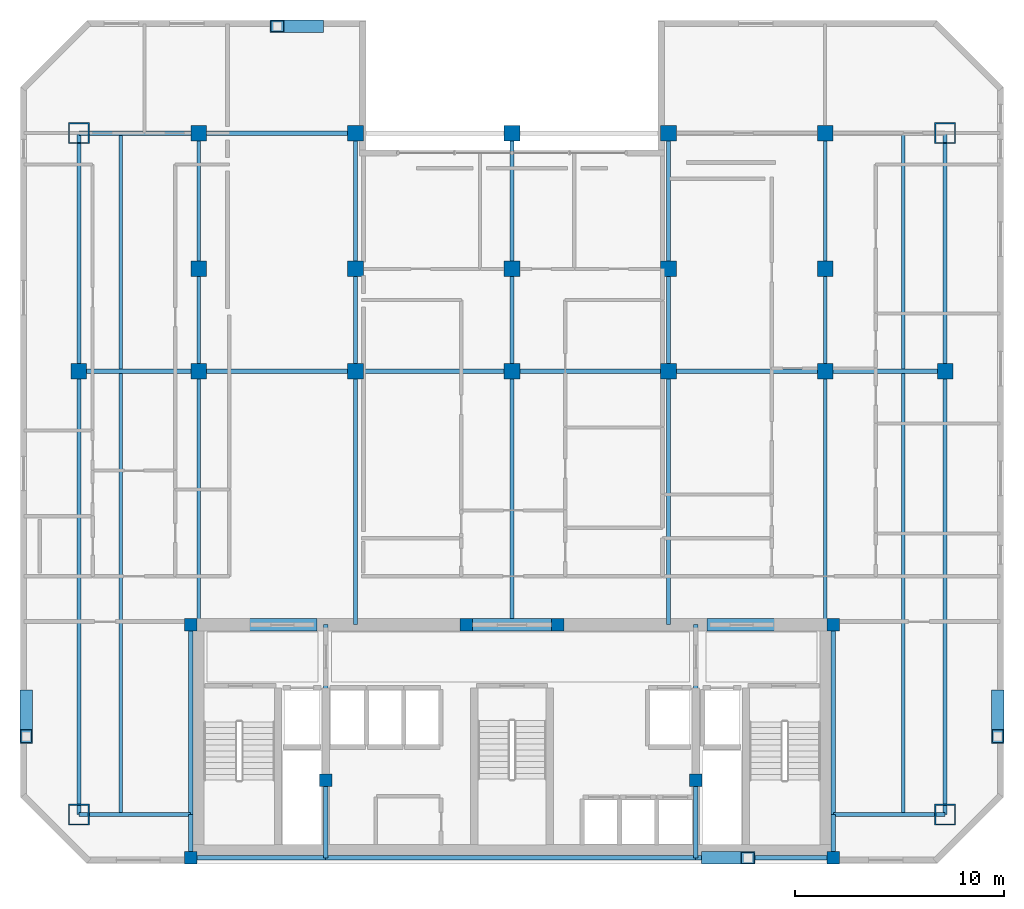
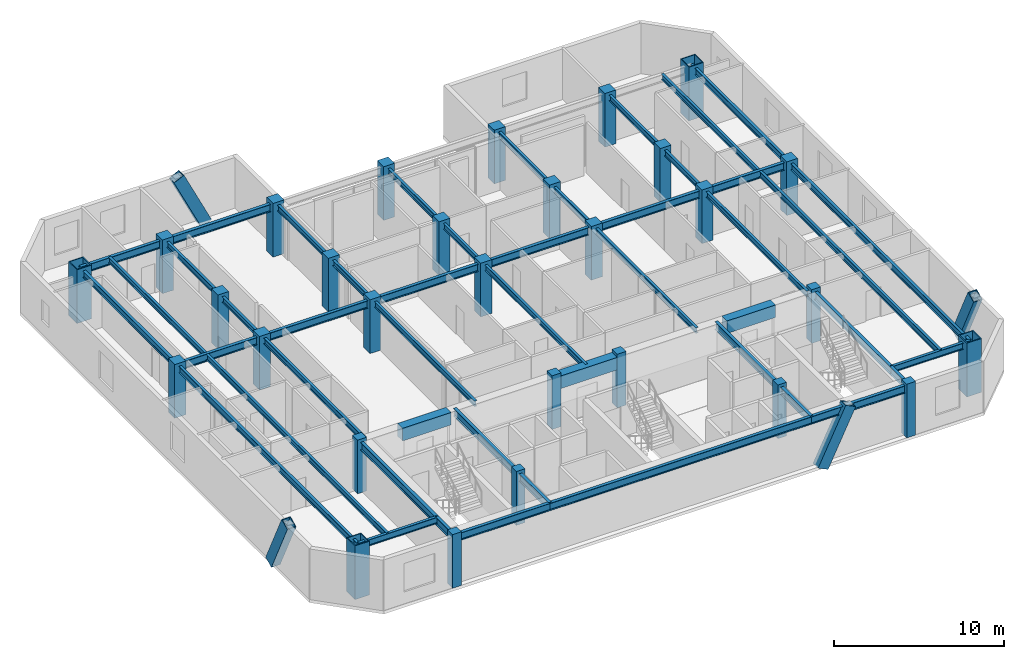
# One storey, part 1 of 10: 42 beams, 29 columns, 4 members.
"""IFC4 building model written with IfcOpenShell, lengths in metres."""

from ifc_helpers import new_model, si_unit, direction, frame, origin, origin_2d, place, context, subcontext, project, spatial, rectangle, hollow_rectangle, i_section, extrude, material, material_profile, profile_set, type_object, element, save


model = new_model("IFC4")

# Units and contexts
model_context = context("Model", 3, precision=1e-05, world=origin(), true_north=direction((0.0, 1.0)))
body_context = subcontext(model_context, "Body", "Model", "MODEL_VIEW")
ifc_project = project(units=[si_unit("LENGTHUNIT", "METRE"), si_unit("AREAUNIT", "SQUARE_METRE"), si_unit("VOLUMEUNIT", "CUBIC_METRE"), si_unit("PLANEANGLEUNIT", "RADIAN"), si_unit("MASSUNIT", "GRAM", prefix="KILO")], contexts=[model_context])

# Site, building, storey
site_placement = place(None, origin())
site = spatial("IfcSite", under=ifc_project, at=site_placement, CompositionType="ELEMENT")
building_placement = place(site_placement, origin())
building = spatial("IfcBuilding", under=site, at=building_placement, Name="Ventersveld Concourse Tower", CompositionType="ELEMENT")
storey_placement = place(building_placement, frame((0.0, 0.0, 208.0)))
storey = spatial("IfcBuildingStorey", under=building, at=storey_placement, Name="L51", CompositionType="ELEMENT", Elevation=208.0)

# Columns
ifc_material_1 = material(Name="Concrete C50/60", Category="concrete")
ifc_material_profile_1 = material_profile(ifc_material_1, rectangle(XDim=0.60009765625, YDim=0.60009765625, at=origin_2d()), Name="RC 600x600")
ifc_profile_set_1 = profile_set([ifc_material_profile_1], Name="Concrete C50/60")
column_type_1 = type_object("IfcColumnType", Name="COL-RC600", PredefinedType="COLUMN", material=ifc_profile_set_1)
for number, where, z_axis, x_axis, name in (
    (1, (13.35009765625, 0.280029296875, 0.0), (0.0, 0.0, 1.0), (1.0, 0.0, 0.0), "L51 Core Spine Column CC-SW"),
    (2, (44.14990234375, 0.280029296875, 0.0), (0.0, 0.0, 1.0), (1.0, 0.0, 0.0), "L51 Core Spine Column CC-SE"),
    (3, (13.35009765625, 11.449951171875, 0.0), (0.0, 0.0, 1.0), (1.0, 0.0, 0.0), "L51 Core Spine Column CC-NW"),
    (4, (44.14990234375, 11.449951171875, 0.0), (0.0, 0.0, 1.0), (1.0, 0.0, 0.0), "L51 Core Spine Column CC-NE"),
    (5, (19.820068359375, 4.0, 0.0), (0.0, 0.0, 1.0), (1.0, 0.0, 0.0), "L51 Core Spine Column CM-1"),
    (6, (37.550048828125, 4.0, 0.0), (0.0, 0.0, 1.0), (1.0, 0.0, 0.0), "L51 Core Spine Column CM-2"),
    (7, (26.550048828125, 11.449951171875, 0.0), (0.0, 0.0, 1.0), (1.0, 0.0, 0.0), "L51 Core Spine Column CM-3"),
    (8, (30.949951171875, 11.449951171875, 0.0), (0.0, 0.0, 1.0), (1.0, 0.0, 0.0), "L51 Core Spine Column CM-4"),
):
    element("IfcColumn", number, at=place(storey_placement, frame(where, z_axis=z_axis, x_axis=x_axis)), inside=storey, type_object=column_type_1, Name=name, PredefinedType="COLUMN", context=body_context, shape_type="SweptSolid", body=[
        extrude(rectangle(XDim=0.60009765625, YDim=0.60009765625, at=origin_2d()), origin(), (0.0, 0.0, 1.0), 3.85009765625),
    ])
ifc_material_profile_2 = material_profile(ifc_material_1, rectangle(XDim=0.75, YDim=0.75, at=origin_2d()), Name="RC 750x750")
ifc_profile_set_2 = profile_set([ifc_material_profile_2], Name="Concrete C50/60")
column_type_2 = type_object("IfcColumnType", Name="COL-RC750", PredefinedType="COLUMN", material=ifc_profile_set_2)
for number, where, z_axis, x_axis, name in (
    (9, (8.0, 23.60009765625, 0.0), (0.0, 0.0, 1.0), (1.0, 0.0, 0.0), "L51 Interior Gravity Column X=8.00 Y=23.60"),
    (10, (13.75, 23.60009765625, 0.0), (0.0, 0.0, 1.0), (1.0, 0.0, 0.0), "L51 Interior Gravity Column X=13.75 Y=23.60"),
    (11, (21.25, 23.60009765625, 0.0), (0.0, 0.0, 1.0), (1.0, 0.0, 0.0), "L51 Interior Gravity Column X=21.25 Y=23.60"),
    (12, (28.75, 23.60009765625, 0.0), (0.0, 0.0, 1.0), (1.0, 0.0, 0.0), "L51 Interior Gravity Column X=28.75 Y=23.60"),
    (13, (36.25, 23.60009765625, 0.0), (0.0, 0.0, 1.0), (1.0, 0.0, 0.0), "L51 Interior Gravity Column X=36.25 Y=23.60"),
    (14, (43.75, 23.60009765625, 0.0), (0.0, 0.0, 1.0), (1.0, 0.0, 0.0), "L51 Interior Gravity Column X=43.75 Y=23.60"),
    (15, (49.5, 23.60009765625, 0.0), (0.0, 0.0, 1.0), (1.0, 0.0, 0.0), "L51 Interior Gravity Column X=49.50 Y=23.60"),
    (16, (13.75, 28.5, 0.0), (0.0, 0.0, 1.0), (1.0, 0.0, 0.0), "L51 Upper-North Gravity Column X=13.75 Y=28.50"),
    (17, (21.25, 28.5, 0.0), (0.0, 0.0, 1.0), (1.0, 0.0, 0.0), "L51 Upper-North Gravity Column X=21.25 Y=28.50"),
    (18, (28.75, 28.5, 0.0), (0.0, 0.0, 1.0), (1.0, 0.0, 0.0), "L51 Upper-North Gravity Column X=28.75 Y=28.50"),
    (19, (36.25, 28.5, 0.0), (0.0, 0.0, 1.0), (1.0, 0.0, 0.0), "L51 Upper-North Gravity Column X=36.25 Y=28.50"),
    (20, (43.75, 28.5, 0.0), (0.0, 0.0, 1.0), (1.0, 0.0, 0.0), "L51 Upper-North Gravity Column X=43.75 Y=28.50"),
    (21, (13.75, 35.0, 0.0), (0.0, 0.0, 1.0), (1.0, 0.0, 0.0), "L51 Mid-North Column X=13.75 Y=35.00"),
    (22, (21.25, 35.0, 0.0), (0.0, 0.0, 1.0), (1.0, 0.0, 0.0), "L51 Mid-North Column X=21.25 Y=35.00"),
    (23, (28.75, 35.0, 0.0), (0.0, 0.0, 1.0), (1.0, 0.0, 0.0), "L51 Mid-North Column X=28.75 Y=35.00"),
    (24, (36.25, 35.0, 0.0), (0.0, 0.0, 1.0), (1.0, 0.0, 0.0), "L51 Mid-North Column X=36.25 Y=35.00"),
    (25, (43.75, 35.0, 0.0), (0.0, 0.0, 1.0), (1.0, 0.0, 0.0), "L51 Mid-North Column X=43.75 Y=35.00"),
):
    element("IfcColumn", number, at=place(storey_placement, frame(where, z_axis=z_axis, x_axis=x_axis)), inside=storey, type_object=column_type_2, Name=name, PredefinedType="COLUMN", context=body_context, shape_type="SweptSolid", body=[
        extrude(rectangle(XDim=0.75, YDim=0.75, at=origin_2d()), origin(), (0.0, 0.0, 1.0), 3.85009765625),
    ])
ifc_material_2 = material(Name="Structural steel S460ML", Category="steel")
ifc_material_profile_3 = material_profile(ifc_material_2, hollow_rectangle(XDim=1.0, YDim=1.0, WallThickness=0.06005859375, at=origin_2d()), Name="BOX 1000x1000x60")
ifc_profile_set_3 = profile_set([ifc_material_profile_3], Name="Structural steel S460ML")
column_type_3 = type_object("IfcColumnType", Name="MC-1000", PredefinedType="USERDEFINED", material=ifc_profile_set_3)
for number, where, z_axis, x_axis, name in (
    (26, (8.0, 2.35009765625, 0.0), (0.0, 0.0, 1.0), (1.0, 0.0, 0.0), "L51 Corner Mega-Column MC-SW"),
    (27, (49.5, 2.35009765625, 0.0), (0.0, 0.0, 1.0), (1.0, 0.0, 0.0), "L51 Corner Mega-Column MC-SE"),
    (28, (49.5, 35.0, 0.0), (0.0, 0.0, 1.0), (1.0, 0.0, 0.0), "L51 Corner Mega-Column MC-NE"),
    (29, (8.0, 35.0, 0.0), (0.0, 0.0, 1.0), (1.0, 0.0, 0.0), "L51 Corner Mega-Column MC-NW"),
):
    element("IfcColumn", number, at=place(storey_placement, frame(where, z_axis=z_axis, x_axis=x_axis)), inside=storey, type_object=column_type_3, Name=name, ObjectType="MEGA_COLUMN", PredefinedType="USERDEFINED", context=body_context, shape_type="SweptSolid", body=[
        extrude(hollow_rectangle(XDim=1.0, YDim=1.0, WallThickness=0.06005859375, at=origin_2d()), origin(), (0.0, 0.0, 1.0), 3.85009765625),
    ])

# Beams
ifc_material_3 = material(Name="Structural steel S355J2", Category="steel")
ifc_material_profile_4 = material_profile(ifc_material_3, i_section(OverallWidth=0.177978515625, OverallDepth=0.406494140625, WebThickness=0.0078125, FlangeThickness=0.0126953125, FilletRadius=0.01025390625, at=origin_2d()), Name="UB 406x178x60")
ifc_profile_set_4 = profile_set([ifc_material_profile_4], Name="Structural steel S355J2")
beam_type_1 = type_object("IfcBeamType", Name="BM-UB406", PredefinedType="BEAM", material=ifc_profile_set_4)
beam_1_placement = place(storey_placement, frame((10.0, 2.35009765625, 3.4267578125), z_axis=(0.0, 1.0, 0.0), x_axis=(-1.0, 0.0, 0.0)))
element("IfcBeam", 30, at=beam_1_placement, inside=storey, type_object=beam_type_1, Name="L51 N-S Composite Floor Beam South X=10.00", PredefinedType="BEAM", context=body_context, shape_type="SweptSolid", body=[
    extrude(i_section(OverallWidth=0.177978515625, OverallDepth=0.406494140625, WebThickness=0.0078125, FlangeThickness=0.0126953125, FilletRadius=0.01025390625, at=origin_2d()), origin(), (0.0, 0.0, 1.0), 21.15478515625),
])
beam_2_placement = place(storey_placement, frame((10.0, 23.695068359375, 3.4267578125), z_axis=(0.0, 1.0, 0.0), x_axis=(-1.0, 0.0, 0.0)))
element("IfcBeam", 31, at=beam_2_placement, inside=storey, type_object=beam_type_1, Name="L51 N-S Composite Floor Beam Mid X=10.00", PredefinedType="BEAM", context=body_context, shape_type="SweptSolid", body=[
    extrude(i_section(OverallWidth=0.177978515625, OverallDepth=0.406494140625, WebThickness=0.0078125, FlangeThickness=0.0126953125, FilletRadius=0.01025390625, at=origin_2d()), origin(), (0.0, 0.0, 1.0), 11.304931640625),
])
beam_3_placement = place(storey_placement, frame((13.75, 11.449951171875, 3.4267578125), z_axis=(0.0, 1.0, 0.0), x_axis=(-1.0, 0.0, 0.0)))
element("IfcBeam", 32, at=beam_3_placement, inside=storey, type_object=beam_type_1, Name="L51 N-S Composite Floor Beam South X=13.75", PredefinedType="BEAM", context=body_context, shape_type="SweptSolid", body=[
    extrude(i_section(OverallWidth=0.177978515625, OverallDepth=0.406494140625, WebThickness=0.0078125, FlangeThickness=0.0126953125, FilletRadius=0.01025390625, at=origin_2d()), origin(), (0.0, 0.0, 1.0), 12.150146484375),
])
beam_4_placement = place(storey_placement, frame((13.75, 23.60009765625, 3.4267578125), z_axis=(0.0, 1.0, 0.0), x_axis=(-1.0, 0.0, 0.0)))
element("IfcBeam", 33, at=beam_4_placement, inside=storey, type_object=beam_type_1, Name="L51 N-S Composite Floor Beam Mid X=13.75", PredefinedType="BEAM", context=body_context, shape_type="SweptSolid", body=[
    extrude(i_section(OverallWidth=0.177978515625, OverallDepth=0.406494140625, WebThickness=0.0078125, FlangeThickness=0.0126953125, FilletRadius=0.01025390625, at=origin_2d()), origin(), (0.0, 0.0, 1.0), 11.39990234375),
])
beam_5_placement = place(storey_placement, frame((21.25, 11.449951171875, 3.4267578125), z_axis=(0.0, 1.0, 0.0), x_axis=(-1.0, 0.0, 0.0)))
element("IfcBeam", 34, at=beam_5_placement, inside=storey, type_object=beam_type_1, Name="L51 N-S Composite Floor Beam South X=21.25", PredefinedType="BEAM", context=body_context, shape_type="SweptSolid", body=[
    extrude(i_section(OverallWidth=0.177978515625, OverallDepth=0.406494140625, WebThickness=0.0078125, FlangeThickness=0.0126953125, FilletRadius=0.01025390625, at=origin_2d()), origin(), (0.0, 0.0, 1.0), 12.150146484375),
])
beam_6_placement = place(storey_placement, frame((21.25, 23.60009765625, 3.4267578125), z_axis=(0.0, 1.0, 0.0), x_axis=(-1.0, 0.0, 0.0)))
element("IfcBeam", 35, at=beam_6_placement, inside=storey, type_object=beam_type_1, Name="L51 N-S Composite Floor Beam Mid X=21.25", PredefinedType="BEAM", context=body_context, shape_type="SweptSolid", body=[
    extrude(i_section(OverallWidth=0.177978515625, OverallDepth=0.406494140625, WebThickness=0.0078125, FlangeThickness=0.0126953125, FilletRadius=0.01025390625, at=origin_2d()), origin(), (0.0, 0.0, 1.0), 11.39990234375),
])
beam_7_placement = place(storey_placement, frame((28.75, 11.449951171875, 3.4267578125), z_axis=(0.0, 1.0, 0.0), x_axis=(-1.0, 0.0, 0.0)))
element("IfcBeam", 36, at=beam_7_placement, inside=storey, type_object=beam_type_1, Name="L51 N-S Composite Floor Beam South X=28.75", PredefinedType="BEAM", context=body_context, shape_type="SweptSolid", body=[
    extrude(i_section(OverallWidth=0.177978515625, OverallDepth=0.406494140625, WebThickness=0.0078125, FlangeThickness=0.0126953125, FilletRadius=0.01025390625, at=origin_2d()), origin(), (0.0, 0.0, 1.0), 12.150146484375),
])
beam_8_placement = place(storey_placement, frame((28.75, 23.60009765625, 3.4267578125), z_axis=(0.0, 1.0, 0.0), x_axis=(-1.0, 0.0, 0.0)))
element("IfcBeam", 37, at=beam_8_placement, inside=storey, type_object=beam_type_1, Name="L51 N-S Composite Floor Beam Mid X=28.75", PredefinedType="BEAM", context=body_context, shape_type="SweptSolid", body=[
    extrude(i_section(OverallWidth=0.177978515625, OverallDepth=0.406494140625, WebThickness=0.0078125, FlangeThickness=0.0126953125, FilletRadius=0.01025390625, at=origin_2d()), origin(), (0.0, 0.0, 1.0), 11.39990234375),
])
beam_9_placement = place(storey_placement, frame((36.25, 11.449951171875, 3.4267578125), z_axis=(0.0, 1.0, 0.0), x_axis=(-1.0, 0.0, 0.0)))
element("IfcBeam", 38, at=beam_9_placement, inside=storey, type_object=beam_type_1, Name="L51 N-S Composite Floor Beam South X=36.25", PredefinedType="BEAM", context=body_context, shape_type="SweptSolid", body=[
    extrude(i_section(OverallWidth=0.177978515625, OverallDepth=0.406494140625, WebThickness=0.0078125, FlangeThickness=0.0126953125, FilletRadius=0.01025390625, at=origin_2d()), origin(), (0.0, 0.0, 1.0), 12.150146484375),
])
beam_10_placement = place(storey_placement, frame((36.25, 23.60009765625, 3.4267578125), z_axis=(0.0, 1.0, 0.0), x_axis=(-1.0, 0.0, 0.0)))
element("IfcBeam", 39, at=beam_10_placement, inside=storey, type_object=beam_type_1, Name="L51 N-S Composite Floor Beam Mid X=36.25", PredefinedType="BEAM", context=body_context, shape_type="SweptSolid", body=[
    extrude(i_section(OverallWidth=0.177978515625, OverallDepth=0.406494140625, WebThickness=0.0078125, FlangeThickness=0.0126953125, FilletRadius=0.01025390625, at=origin_2d()), origin(), (0.0, 0.0, 1.0), 11.39990234375),
])
beam_11_placement = place(storey_placement, frame((43.75, 11.449951171875, 3.4267578125), z_axis=(0.0, 1.0, 0.0), x_axis=(-1.0, 0.0, 0.0)))
element("IfcBeam", 40, at=beam_11_placement, inside=storey, type_object=beam_type_1, Name="L51 N-S Composite Floor Beam South X=43.75", PredefinedType="BEAM", context=body_context, shape_type="SweptSolid", body=[
    extrude(i_section(OverallWidth=0.177978515625, OverallDepth=0.406494140625, WebThickness=0.0078125, FlangeThickness=0.0126953125, FilletRadius=0.01025390625, at=origin_2d()), origin(), (0.0, 0.0, 1.0), 12.150146484375),
])
beam_12_placement = place(storey_placement, frame((43.75, 23.60009765625, 3.4267578125), z_axis=(0.0, 1.0, 0.0), x_axis=(-1.0, 0.0, 0.0)))
element("IfcBeam", 41, at=beam_12_placement, inside=storey, type_object=beam_type_1, Name="L51 N-S Composite Floor Beam Mid X=43.75", PredefinedType="BEAM", context=body_context, shape_type="SweptSolid", body=[
    extrude(i_section(OverallWidth=0.177978515625, OverallDepth=0.406494140625, WebThickness=0.0078125, FlangeThickness=0.0126953125, FilletRadius=0.01025390625, at=origin_2d()), origin(), (0.0, 0.0, 1.0), 11.39990234375),
])
beam_13_placement = place(storey_placement, frame((47.5, 2.35009765625, 3.4267578125), z_axis=(0.0, 1.0, 0.0), x_axis=(-1.0, 0.0, 0.0)))
element("IfcBeam", 42, at=beam_13_placement, inside=storey, type_object=beam_type_1, Name="L51 N-S Composite Floor Beam South X=47.50", PredefinedType="BEAM", context=body_context, shape_type="SweptSolid", body=[
    extrude(i_section(OverallWidth=0.177978515625, OverallDepth=0.406494140625, WebThickness=0.0078125, FlangeThickness=0.0126953125, FilletRadius=0.01025390625, at=origin_2d()), origin(), (0.0, 0.0, 1.0), 21.15478515625),
])
beam_14_placement = place(storey_placement, frame((47.5, 23.695068359375, 3.4267578125), z_axis=(0.0, 1.0, 0.0), x_axis=(-1.0, 0.0, 0.0)))
element("IfcBeam", 43, at=beam_14_placement, inside=storey, type_object=beam_type_1, Name="L51 N-S Composite Floor Beam Mid X=47.50", PredefinedType="BEAM", context=body_context, shape_type="SweptSolid", body=[
    extrude(i_section(OverallWidth=0.177978515625, OverallDepth=0.406494140625, WebThickness=0.0078125, FlangeThickness=0.0126953125, FilletRadius=0.01025390625, at=origin_2d()), origin(), (0.0, 0.0, 1.0), 11.304931640625),
])
ifc_material_profile_5 = material_profile(ifc_material_1, rectangle(XDim=0.60009765625, YDim=0.89990234375, at=origin_2d()), Name="RC 600x900")
ifc_profile_set_5 = profile_set([ifc_material_profile_5], Name="Concrete C50/60")
beam_type_2 = type_object("IfcBeamType", Name="CB-RC600x900U", PredefinedType="LINTEL", material=ifc_profile_set_5)
beam_15_placement = place(storey_placement, frame((16.10009765625, 11.449951171875, 3.179931640625), z_axis=(1.0, 0.0, 0.0), x_axis=(0.0, 1.0, 0.0)))
element("IfcBeam", 44, at=beam_15_placement, inside=storey, type_object=beam_type_2, Name="L51 Core Coupling Lintel Beam 1", PredefinedType="LINTEL", context=body_context, shape_type="SweptSolid", body=[
    extrude(rectangle(XDim=0.60009765625, YDim=0.89990234375, at=origin_2d()), origin(), (0.0, 0.0, 1.0), 3.2998046875),
])
beam_16_placement = place(storey_placement, frame((26.5, 11.449951171875, 3.179931640625), z_axis=(1.0, 0.0, 0.0), x_axis=(0.0, 1.0, 0.0)))
element("IfcBeam", 45, at=beam_16_placement, inside=storey, type_object=beam_type_2, Name="L51 Core Coupling Lintel Beam 2", PredefinedType="LINTEL", context=body_context, shape_type="SweptSolid", body=[
    extrude(rectangle(XDim=0.60009765625, YDim=0.89990234375, at=origin_2d()), origin(), (0.0, 0.0, 1.0), 4.5),
])
beam_17_placement = place(storey_placement, frame((38.10009765625, 11.449951171875, 3.179931640625), z_axis=(1.0, 0.0, 0.0), x_axis=(0.0, 1.0, 0.0)))
element("IfcBeam", 46, at=beam_17_placement, inside=storey, type_object=beam_type_2, Name="L51 Core Coupling Lintel Beam 3", PredefinedType="LINTEL", context=body_context, shape_type="SweptSolid", body=[
    extrude(rectangle(XDim=0.60009765625, YDim=0.89990234375, at=origin_2d()), origin(), (0.0, 0.0, 1.0), 3.2998046875),
])
ifc_material_profile_6 = material_profile(ifc_material_3, i_section(OverallWidth=0.2119140625, OverallDepth=0.54443359375, WebThickness=0.0126953125, FlangeThickness=0.021240234375, FilletRadius=0.0126953125, at=origin_2d()), Name="UB 533x210x122")
ifc_profile_set_6 = profile_set([ifc_material_profile_6], Name="Structural steel S355J2")
beam_type_3 = type_object("IfcBeamType", Name="GRD-UB533H", PredefinedType="T_BEAM", material=ifc_profile_set_6)
beam_18_placement = place(storey_placement, frame((13.35009765625, 0.280029296875, 3.357666015625), z_axis=(0.0, 1.0, 0.0), x_axis=(-1.0, 0.0, 0.0)))
element("IfcBeam", 47, at=beam_18_placement, inside=storey, type_object=beam_type_3, Name="L51 Core West Tie Beam S", PredefinedType="T_BEAM", context=body_context, shape_type="SweptSolid", body=[
    extrude(i_section(OverallWidth=0.2119140625, OverallDepth=0.54443359375, WebThickness=0.0126953125, FlangeThickness=0.021240234375, FilletRadius=0.0126953125, at=origin_2d()), origin(), (0.0, 0.0, 1.0), 2.070068359375),
])
beam_19_placement = place(storey_placement, frame((13.35009765625, 2.35009765625, 3.357666015625), z_axis=(0.0, 1.0, 0.0), x_axis=(-1.0, 0.0, 0.0)))
element("IfcBeam", 48, at=beam_19_placement, inside=storey, type_object=beam_type_3, Name="L51 Core West Tie Beam N", PredefinedType="T_BEAM", context=body_context, shape_type="SweptSolid", body=[
    extrude(i_section(OverallWidth=0.2119140625, OverallDepth=0.54443359375, WebThickness=0.0126953125, FlangeThickness=0.021240234375, FilletRadius=0.0126953125, at=origin_2d()), origin(), (0.0, 0.0, 1.0), 9.099853515625),
])
beam_20_placement = place(storey_placement, frame((44.14990234375, 0.280029296875, 3.357666015625), z_axis=(0.0, 1.0, 0.0), x_axis=(-1.0, 0.0, 0.0)))
element("IfcBeam", 49, at=beam_20_placement, inside=storey, type_object=beam_type_3, Name="L51 Core East Tie Beam S", PredefinedType="T_BEAM", context=body_context, shape_type="SweptSolid", body=[
    extrude(i_section(OverallWidth=0.2119140625, OverallDepth=0.54443359375, WebThickness=0.0126953125, FlangeThickness=0.021240234375, FilletRadius=0.0126953125, at=origin_2d()), origin(), (0.0, 0.0, 1.0), 2.070068359375),
])
beam_21_placement = place(storey_placement, frame((44.14990234375, 2.35009765625, 3.357666015625), z_axis=(0.0, 1.0, 0.0), x_axis=(-1.0, 0.0, 0.0)))
element("IfcBeam", 50, at=beam_21_placement, inside=storey, type_object=beam_type_3, Name="L51 Core East Tie Beam N", PredefinedType="T_BEAM", context=body_context, shape_type="SweptSolid", body=[
    extrude(i_section(OverallWidth=0.2119140625, OverallDepth=0.54443359375, WebThickness=0.0126953125, FlangeThickness=0.021240234375, FilletRadius=0.0126953125, at=origin_2d()), origin(), (0.0, 0.0, 1.0), 9.099853515625),
])
beam_22_placement = place(storey_placement, frame((13.35009765625, 0.280029296875, 3.357666015625), z_axis=(1.0, 0.0, 0.0), x_axis=(0.0, 1.0, 0.0)))
element("IfcBeam", 51, at=beam_22_placement, inside=storey, type_object=beam_type_3, Name="L51 Core South Tie Beam W", PredefinedType="T_BEAM", context=body_context, shape_type="SweptSolid", body=[
    extrude(i_section(OverallWidth=0.2119140625, OverallDepth=0.54443359375, WebThickness=0.0126953125, FlangeThickness=0.021240234375, FilletRadius=0.0126953125, at=origin_2d()), origin(), (0.0, 0.0, 1.0), 6.469970703125),
])
beam_23_placement = place(storey_placement, frame((19.820068359375, 0.280029296875, 3.357666015625), z_axis=(1.0, 0.0, 0.0), x_axis=(0.0, 1.0, 0.0)))
element("IfcBeam", 52, at=beam_23_placement, inside=storey, type_object=beam_type_3, Name="L51 Core South Tie Beam C", PredefinedType="T_BEAM", context=body_context, shape_type="SweptSolid", body=[
    extrude(i_section(OverallWidth=0.2119140625, OverallDepth=0.54443359375, WebThickness=0.0126953125, FlangeThickness=0.021240234375, FilletRadius=0.0126953125, at=origin_2d()), origin(), (0.0, 0.0, 1.0), 17.72998046875),
])
beam_24_placement = place(storey_placement, frame((37.550048828125, 0.280029296875, 3.357666015625), z_axis=(1.0, 0.0, 0.0), x_axis=(0.0, 1.0, 0.0)))
element("IfcBeam", 53, at=beam_24_placement, inside=storey, type_object=beam_type_3, Name="L51 Core South Tie Beam E", PredefinedType="T_BEAM", context=body_context, shape_type="SweptSolid", body=[
    extrude(i_section(OverallWidth=0.2119140625, OverallDepth=0.54443359375, WebThickness=0.0126953125, FlangeThickness=0.021240234375, FilletRadius=0.0126953125, at=origin_2d()), origin(), (0.0, 0.0, 1.0), 6.599853515625),
])
beam_25_placement = place(storey_placement, frame((19.820068359375, 0.280029296875, 3.357666015625), z_axis=(0.0, 1.0, 0.0), x_axis=(-1.0, 0.0, 0.0)))
element("IfcBeam", 54, at=beam_25_placement, inside=storey, type_object=beam_type_3, Name="L51 Core Spine N-S Tie Beam W1", PredefinedType="T_BEAM", context=body_context, shape_type="SweptSolid", body=[
    extrude(i_section(OverallWidth=0.2119140625, OverallDepth=0.54443359375, WebThickness=0.0126953125, FlangeThickness=0.021240234375, FilletRadius=0.0126953125, at=origin_2d()), origin(), (0.0, 0.0, 1.0), 3.719970703125),
])
beam_26_placement = place(storey_placement, frame((19.820068359375, 4.0, 3.357666015625), z_axis=(0.0, 1.0, 0.0), x_axis=(-1.0, 0.0, 0.0)))
element("IfcBeam", 55, at=beam_26_placement, inside=storey, type_object=beam_type_3, Name="L51 Core Spine N-S Tie Beam W2", PredefinedType="T_BEAM", context=body_context, shape_type="SweptSolid", body=[
    extrude(i_section(OverallWidth=0.2119140625, OverallDepth=0.54443359375, WebThickness=0.0126953125, FlangeThickness=0.021240234375, FilletRadius=0.0126953125, at=origin_2d()), origin(), (0.0, 0.0, 1.0), 7.449951171875),
])
beam_27_placement = place(storey_placement, frame((37.550048828125, 0.280029296875, 3.357666015625), z_axis=(0.0, 1.0, 0.0), x_axis=(-1.0, 0.0, 0.0)))
element("IfcBeam", 56, at=beam_27_placement, inside=storey, type_object=beam_type_3, Name="L51 Core Spine N-S Tie Beam E1", PredefinedType="T_BEAM", context=body_context, shape_type="SweptSolid", body=[
    extrude(i_section(OverallWidth=0.2119140625, OverallDepth=0.54443359375, WebThickness=0.0126953125, FlangeThickness=0.021240234375, FilletRadius=0.0126953125, at=origin_2d()), origin(), (0.0, 0.0, 1.0), 3.719970703125),
])
beam_28_placement = place(storey_placement, frame((37.550048828125, 4.0, 3.357666015625), z_axis=(0.0, 1.0, 0.0), x_axis=(-1.0, 0.0, 0.0)))
element("IfcBeam", 57, at=beam_28_placement, inside=storey, type_object=beam_type_3, Name="L51 Core Spine N-S Tie Beam E2", PredefinedType="T_BEAM", context=body_context, shape_type="SweptSolid", body=[
    extrude(i_section(OverallWidth=0.2119140625, OverallDepth=0.54443359375, WebThickness=0.0126953125, FlangeThickness=0.021240234375, FilletRadius=0.0126953125, at=origin_2d()), origin(), (0.0, 0.0, 1.0), 7.449951171875),
])
beam_29_placement = place(storey_placement, frame((8.0, 23.60009765625, 3.357666015625), z_axis=(1.0, 0.0, 0.0), x_axis=(0.0, 1.0, 0.0)))
element("IfcBeam", 58, at=beam_29_placement, inside=storey, type_object=beam_type_3, Name="L51 Primary E-W Grid Girder Y=23.60 #1", PredefinedType="T_BEAM", context=body_context, shape_type="SweptSolid", body=[
    extrude(i_section(OverallWidth=0.2119140625, OverallDepth=0.54443359375, WebThickness=0.0126953125, FlangeThickness=0.021240234375, FilletRadius=0.0126953125, at=origin_2d()), origin(), (0.0, 0.0, 1.0), 5.75),
])
for number, where, z_axis, x_axis, name in (
    (59, (13.75, 23.60009765625, 3.357666015625), (1.0, 0.0, 0.0), (0.0, 1.0, 0.0), "L51 Primary E-W Grid Girder Y=23.60 #2"),
    (60, (21.25, 23.60009765625, 3.357666015625), (1.0, 0.0, 0.0), (0.0, 1.0, 0.0), "L51 Primary E-W Grid Girder Y=23.60 #3"),
    (61, (28.75, 23.60009765625, 3.357666015625), (1.0, 0.0, 0.0), (0.0, 1.0, 0.0), "L51 Primary E-W Grid Girder Y=23.60 #4"),
    (62, (36.25, 23.60009765625, 3.357666015625), (1.0, 0.0, 0.0), (0.0, 1.0, 0.0), "L51 Primary E-W Grid Girder Y=23.60 #5"),
):
    element("IfcBeam", number, at=place(storey_placement, frame(where, z_axis=z_axis, x_axis=x_axis)), inside=storey, type_object=beam_type_3, Name=name, PredefinedType="T_BEAM", context=body_context, shape_type="SweptSolid", body=[
        extrude(i_section(OverallWidth=0.2119140625, OverallDepth=0.54443359375, WebThickness=0.0126953125, FlangeThickness=0.021240234375, FilletRadius=0.0126953125, at=origin_2d()), origin(), (0.0, 0.0, 1.0), 7.5),
    ])
for number, where, z_axis, x_axis, name in (
    (63, (43.75, 23.60009765625, 3.357666015625), (1.0, 0.0, 0.0), (0.0, 1.0, 0.0), "L51 Primary E-W Grid Girder Y=23.60 #6"),
    (64, (8.0, 35.0, 3.357666015625), (1.0, 0.0, 0.0), (0.0, 1.0, 0.0), "L51 E-W Grid Girder Y=35.00 #1"),
):
    element("IfcBeam", number, at=place(storey_placement, frame(where, z_axis=z_axis, x_axis=x_axis)), inside=storey, type_object=beam_type_3, Name=name, PredefinedType="T_BEAM", context=body_context, shape_type="SweptSolid", body=[
        extrude(i_section(OverallWidth=0.2119140625, OverallDepth=0.54443359375, WebThickness=0.0126953125, FlangeThickness=0.021240234375, FilletRadius=0.0126953125, at=origin_2d()), origin(), (0.0, 0.0, 1.0), 5.75),
    ])
beam_30_placement = place(storey_placement, frame((13.75, 35.0, 3.357666015625), z_axis=(1.0, 0.0, 0.0), x_axis=(0.0, 1.0, 0.0)))
element("IfcBeam", 65, at=beam_30_placement, inside=storey, type_object=beam_type_3, Name="L51 E-W Grid Girder Y=35.00 #2", PredefinedType="T_BEAM", context=body_context, shape_type="SweptSolid", body=[
    extrude(i_section(OverallWidth=0.2119140625, OverallDepth=0.54443359375, WebThickness=0.0126953125, FlangeThickness=0.021240234375, FilletRadius=0.0126953125, at=origin_2d()), origin(), (0.0, 0.0, 1.0), 7.5),
])

# Members
ifc_material_4 = material(Name="Structural steel S355ML", Category="steel")
ifc_material_profile_7 = material_profile(ifc_material_4, hollow_rectangle(XDim=0.60009765625, YDim=0.75, WallThickness=0.0400390625, at=origin_2d()), Name="BOX 750x600x40")
ifc_profile_set_7 = profile_set([ifc_material_profile_7], Name="Structural steel S355ML")
member_type = type_object("IfcMemberType", Name="MB-750x600", PredefinedType="BRACE", material=ifc_profile_set_7)
for number, where, z_axis, x_axis, name in (
    (66, (19.375, 40.1201171875, -0.219970703125), (-0.437861906815, 0.0, 0.899042240699), (0.0, -1.0, 0.0), "L51 Exterior Mega-Brace N (Module M12)"),
    (67, (38.175048828125, 0.280029296875, -0.219970703125), (0.437861906815, 0.0, 0.899042240699), (0.0, 1.0, 0.0), "L51 Exterior Mega-Brace S (Module M12)"),
    (68, (5.47998046875, 7.97509765625, -0.219970703125), (0.0, -0.437861906815, 0.899042240699), (1.0, 0.0, 0.0), "L51 Exterior Mega-Brace W (Module M12)"),
    (69, (52.02001953125, 7.97509765625, -0.219970703125), (0.0, -0.437861906815, 0.899042240699), (1.0, 0.0, 0.0), "L51 Exterior Mega-Brace E (Module M12)"),
):
    element("IfcMember", number, at=place(storey_placement, frame(where, z_axis=z_axis, x_axis=x_axis)), inside=storey, type_object=member_type, Name=name, PredefinedType="BRACE", context=body_context, shape_type="SweptSolid", body=[
        extrude(hollow_rectangle(XDim=0.60009765625, YDim=0.75, WallThickness=0.0400390625, at=origin_2d()), origin(), (0.0, 0.0, 1.0), 4.2822265625),
    ])

# Beams
ifc_material_profile_8 = material_profile(ifc_material_3, i_section(OverallWidth=0.19140625, OverallDepth=0.4599609375, WebThickness=0.010009765625, FlangeThickness=0.01611328125, FilletRadius=0.01025390625, at=origin_2d()), Name="UB 457x191x82")
ifc_profile_set_8 = profile_set([ifc_material_profile_8], Name="Structural steel S355J2")
beam_type_4 = type_object("IfcBeamType", Name="SPD-UB457", PredefinedType="SPANDREL", material=ifc_profile_set_8)
for number, where, z_axis, x_axis, name in (
    (70, (8.0, 2.35009765625, 3.39990234375), (1.0, 0.0, 0.0), (0.0, 1.0, 0.0), "L51 SW Spandrel Beam"),
    (71, (44.14990234375, 2.35009765625, 3.39990234375), (1.0, 0.0, 0.0), (0.0, 1.0, 0.0), "L51 SE Spandrel Beam"),
):
    element("IfcBeam", number, at=place(storey_placement, frame(where, z_axis=z_axis, x_axis=x_axis)), inside=storey, type_object=beam_type_4, Name=name, PredefinedType="SPANDREL", context=body_context, shape_type="SweptSolid", body=[
        extrude(i_section(OverallWidth=0.19140625, OverallDepth=0.4599609375, WebThickness=0.010009765625, FlangeThickness=0.01611328125, FilletRadius=0.01025390625, at=origin_2d()), origin(), (0.0, 0.0, 1.0), 5.35009765625),
    ])
beam_31_placement = place(storey_placement, frame((8.0, 2.35009765625, 3.39990234375), z_axis=(0.0, 1.0, 0.0), x_axis=(-1.0, 0.0, 0.0)))
element("IfcBeam", 72, at=beam_31_placement, inside=storey, type_object=beam_type_4, Name="L51 West Spandrel Beam S", PredefinedType="SPANDREL", context=body_context, shape_type="SweptSolid", body=[
    extrude(i_section(OverallWidth=0.19140625, OverallDepth=0.4599609375, WebThickness=0.010009765625, FlangeThickness=0.01611328125, FilletRadius=0.01025390625, at=origin_2d()), origin(), (0.0, 0.0, 1.0), 21.25),
])
beam_32_placement = place(storey_placement, frame((8.0, 23.60009765625, 3.39990234375), z_axis=(0.0, 1.0, 0.0), x_axis=(-1.0, 0.0, 0.0)))
element("IfcBeam", 73, at=beam_32_placement, inside=storey, type_object=beam_type_4, Name="L51 West Spandrel Beam N", PredefinedType="SPANDREL", context=body_context, shape_type="SweptSolid", body=[
    extrude(i_section(OverallWidth=0.19140625, OverallDepth=0.4599609375, WebThickness=0.010009765625, FlangeThickness=0.01611328125, FilletRadius=0.01025390625, at=origin_2d()), origin(), (0.0, 0.0, 1.0), 11.39990234375),
])
beam_33_placement = place(storey_placement, frame((49.5, 2.35009765625, 3.39990234375), z_axis=(0.0, 1.0, 0.0), x_axis=(-1.0, 0.0, 0.0)))
element("IfcBeam", 74, at=beam_33_placement, inside=storey, type_object=beam_type_4, Name="L51 East Spandrel Beam S", PredefinedType="SPANDREL", context=body_context, shape_type="SweptSolid", body=[
    extrude(i_section(OverallWidth=0.19140625, OverallDepth=0.4599609375, WebThickness=0.010009765625, FlangeThickness=0.01611328125, FilletRadius=0.01025390625, at=origin_2d()), origin(), (0.0, 0.0, 1.0), 21.25),
])
beam_34_placement = place(storey_placement, frame((49.5, 23.60009765625, 3.39990234375), z_axis=(0.0, 1.0, 0.0), x_axis=(-1.0, 0.0, 0.0)))
element("IfcBeam", 75, at=beam_34_placement, inside=storey, type_object=beam_type_4, Name="L51 East Spandrel Beam N", PredefinedType="SPANDREL", context=body_context, shape_type="SweptSolid", body=[
    extrude(i_section(OverallWidth=0.19140625, OverallDepth=0.4599609375, WebThickness=0.010009765625, FlangeThickness=0.01611328125, FilletRadius=0.01025390625, at=origin_2d()), origin(), (0.0, 0.0, 1.0), 11.39990234375),
])

save(model, "model.ifc")
